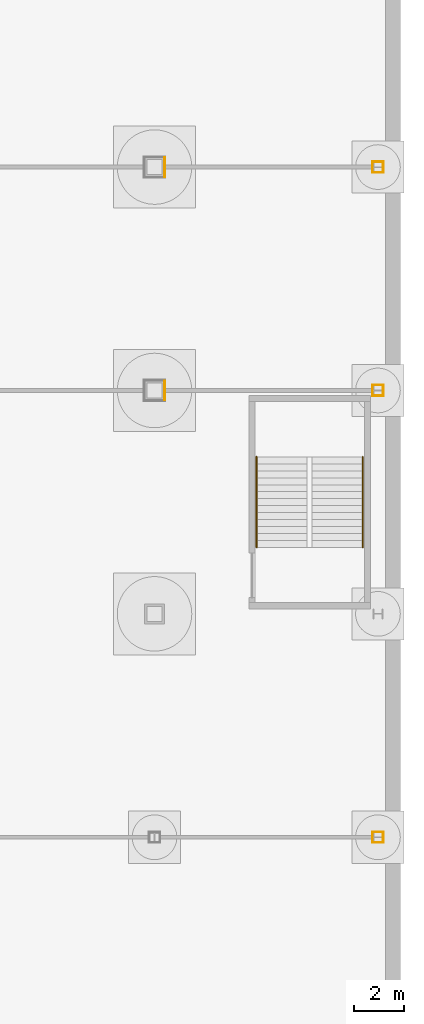
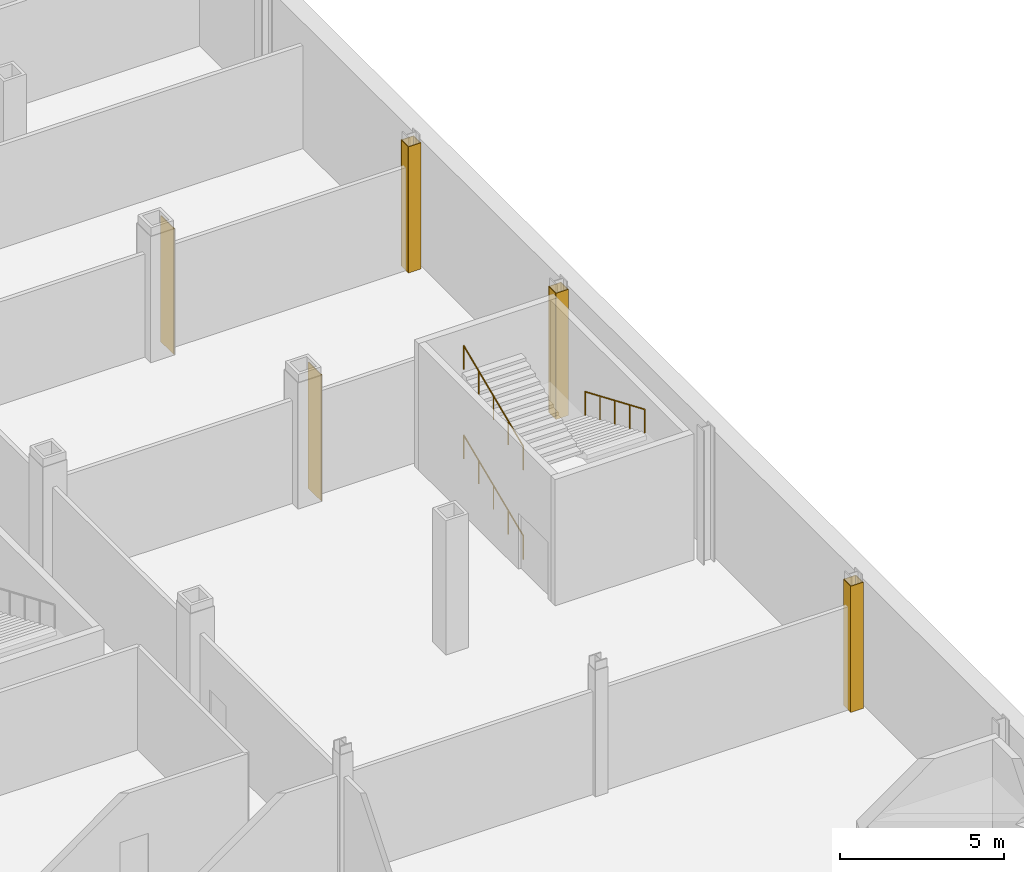
# One storey, part 23 of 28: 14 coverings, 3 railings.
"""IFC4 building model written with IfcOpenShell, lengths in metres."""

from ifc_helpers import new_model, si_unit, direction, frame, origin, origin_2d, place, context, subcontext, project, spatial, rectangle, circle, extrude, material, layer, layer_set, type_object, element, save


model = new_model("IFC4")

# Units and contexts
model_context = context("Model", 3, precision=1e-05, world=origin(), true_north=direction((0.0, 1.0)))
body_context = subcontext(model_context, "Body", "Model", "MODEL_VIEW")
ifc_project = project(units=[si_unit("LENGTHUNIT", "METRE"), si_unit("AREAUNIT", "SQUARE_METRE"), si_unit("VOLUMEUNIT", "CUBIC_METRE"), si_unit("PLANEANGLEUNIT", "RADIAN"), si_unit("MASSUNIT", "GRAM", prefix="KILO")], contexts=[model_context])

# Site, building, storey
site_placement = place(None, origin())
site = spatial("IfcSite", under=ifc_project, at=site_placement, CompositionType="ELEMENT")
building_placement = place(site_placement, origin())
building = spatial("IfcBuilding", under=site, at=building_placement, Name="Loomwork Tower", CompositionType="ELEMENT")
storey_placement = place(building_placement, frame((0.0, 0.0, -10.5)))
storey = spatial("IfcBuildingStorey", under=building, at=storey_placement, Name="B2", CompositionType="ELEMENT", Elevation=-10.5)

# Coverings
ifc_material_1 = material(Name="Two-hour fire-rated gypsum board casing")
ifc_layer = layer(ifc_material_1, 0.02490234375)
ifc_layer_set = layer_set([ifc_layer], Name="Column fire casing 25")
covering_type = type_object("IfcCoveringType", Name="Column fire casing 25", PredefinedType="CLADDING", material=ifc_layer_set)
for number, where, z_axis, x_axis, name in (
    (1, (54.41259765625, 9.0, 0.0), (0.0, 0.0, 1.0), (1.0, 0.0, 0.0), "Column casing 54 9 B2"),
    (2, (54.41259765625, 18.0, 0.0), (0.0, 0.0, 1.0), (1.0, 0.0, 0.0), "Column casing 54 18 B2"),
):
    element("IfcCovering", number, at=place(storey_placement, frame(where, z_axis=z_axis, x_axis=x_axis)), inside=storey, type_object=covering_type, Name=name, PredefinedType="CLADDING", context=body_context, shape_type="SweptSolid", body=[
        extrude(rectangle(XDim=0.02490234375, YDim=0.800048828125, at=origin_2d()), origin(), (0.0, 0.0, 1.0), 4.699951171875),
    ])
for number, where, z_axis, x_axis, name in (
    (3, (63.0, -8.786865234375, 0.0), (0.0, 0.0, 1.0), (1.0, 0.0, 0.0), "Column casing 63 -9 B2"),
    (4, (63.0, -9.213134765625, 0.0), (0.0, 0.0, 1.0), (1.0, 0.0, 0.0), "Column casing 63 -9 B2"),
):
    element("IfcCovering", number, at=place(storey_placement, frame(where, z_axis=z_axis, x_axis=x_axis)), inside=storey, type_object=covering_type, Name=name, PredefinedType="CLADDING", context=body_context, shape_type="SweptSolid", body=[
        extrude(rectangle(XDim=0.44873046875, YDim=0.02490234375, at=origin_2d()), origin(), (0.0, 0.0, 1.0), 4.699951171875),
    ])
for number, where, z_axis, x_axis, name in (
    (5, (63.2119140625, -9.0, 0.0), (0.0, 0.0, 1.0), (1.0, 0.0, 0.0), "Column casing 63 -9 B2"),
    (6, (62.7880859375, -9.0, 0.0), (0.0, 0.0, 1.0), (1.0, 0.0, 0.0), "Column casing 63 -9 B2"),
):
    element("IfcCovering", number, at=place(storey_placement, frame(where, z_axis=z_axis, x_axis=x_axis)), inside=storey, type_object=covering_type, Name=name, PredefinedType="CLADDING", context=body_context, shape_type="SweptSolid", body=[
        extrude(rectangle(XDim=0.02490234375, YDim=0.4013671875, at=origin_2d()), origin(), (0.0, 0.0, 1.0), 4.699951171875),
    ])
for number, where, z_axis, x_axis, name in (
    (7, (63.0, 9.213134765625, 0.0), (0.0, 0.0, 1.0), (1.0, 0.0, 0.0), "Column casing 63 9 B2"),
    (8, (63.0, 8.786865234375, 0.0), (0.0, 0.0, 1.0), (1.0, 0.0, 0.0), "Column casing 63 9 B2"),
):
    element("IfcCovering", number, at=place(storey_placement, frame(where, z_axis=z_axis, x_axis=x_axis)), inside=storey, type_object=covering_type, Name=name, PredefinedType="CLADDING", context=body_context, shape_type="SweptSolid", body=[
        extrude(rectangle(XDim=0.44873046875, YDim=0.02490234375, at=origin_2d()), origin(), (0.0, 0.0, 1.0), 4.699951171875),
    ])
for number, where, z_axis, x_axis, name in (
    (9, (63.2119140625, 9.0, 0.0), (0.0, 0.0, 1.0), (1.0, 0.0, 0.0), "Column casing 63 9 B2"),
    (10, (62.7880859375, 9.0, 0.0), (0.0, 0.0, 1.0), (1.0, 0.0, 0.0), "Column casing 63 9 B2"),
):
    element("IfcCovering", number, at=place(storey_placement, frame(where, z_axis=z_axis, x_axis=x_axis)), inside=storey, type_object=covering_type, Name=name, PredefinedType="CLADDING", context=body_context, shape_type="SweptSolid", body=[
        extrude(rectangle(XDim=0.02490234375, YDim=0.4013671875, at=origin_2d()), origin(), (0.0, 0.0, 1.0), 4.699951171875),
    ])
for number, where, z_axis, x_axis, name in (
    (11, (63.0, 18.213134765625, 0.0), (0.0, 0.0, 1.0), (1.0, 0.0, 0.0), "Column casing 63 18 B2"),
    (12, (63.0, 17.786865234375, 0.0), (0.0, 0.0, 1.0), (1.0, 0.0, 0.0), "Column casing 63 18 B2"),
):
    element("IfcCovering", number, at=place(storey_placement, frame(where, z_axis=z_axis, x_axis=x_axis)), inside=storey, type_object=covering_type, Name=name, PredefinedType="CLADDING", context=body_context, shape_type="SweptSolid", body=[
        extrude(rectangle(XDim=0.44873046875, YDim=0.02490234375, at=origin_2d()), origin(), (0.0, 0.0, 1.0), 4.699951171875),
    ])
for number, where, z_axis, x_axis, name in (
    (13, (63.2119140625, 18.0, 0.0), (0.0, 0.0, 1.0), (1.0, 0.0, 0.0), "Column casing 63 18 B2"),
    (14, (62.7880859375, 18.0, 0.0), (0.0, 0.0, 1.0), (1.0, 0.0, 0.0), "Column casing 63 18 B2"),
):
    element("IfcCovering", number, at=place(storey_placement, frame(where, z_axis=z_axis, x_axis=x_axis)), inside=storey, type_object=covering_type, Name=name, PredefinedType="CLADDING", context=body_context, shape_type="SweptSolid", body=[
        extrude(rectangle(XDim=0.02490234375, YDim=0.4013671875, at=origin_2d()), origin(), (0.0, 0.0, 1.0), 4.699951171875),
    ])

# Railings
ifc_material_2 = material(Name="Stainless steel handrail", Category="steel")
railing_type = type_object("IfcRailingType", Name="Handrail 900", PredefinedType="HANDRAIL", material=ifc_material_2)
railing_1_placement = place(storey_placement, frame((58.110107421875, 2.679931640625, 0.118896484375)))
element("IfcRailing", 15, at=railing_1_placement, inside=storey, type_object=railing_type, Name="Podium stair PS6 handrail flight 1 B2", PredefinedType="HANDRAIL", context=body_context, shape_type="SweptSolid", body=[
    extrude(circle(Radius=0.02392578125, at=origin_2d()), frame((0.0, 0.0, 0.8759765625), z_axis=(0.0, 0.920258693564, 0.391310537706), x_axis=(-1.0, 0.0, 0.0)), (0.0, 0.0, 1.0), 3.95556640625),
    extrude(circle(Radius=0.02099609375, at=origin_2d()), origin(), (0.0, 0.0, 1.0), 0.851806640625),
    extrude(circle(Radius=0.02099609375, at=origin_2d()), frame((0.0, 0.91015625, 0.386962890625)), (0.0, 0.0, 1.0), 0.851806640625),
    extrude(circle(Radius=0.02099609375, at=origin_2d()), frame((0.0, 1.820068359375, 0.77392578125)), (0.0, 0.0, 1.0), 0.851806640625),
    extrude(circle(Radius=0.02099609375, at=origin_2d()), frame((0.0, 2.72998046875, 1.160888671875)), (0.0, 0.0, 1.0), 0.851806640625),
    extrude(circle(Radius=0.02099609375, at=origin_2d()), frame((0.0, 3.64013671875, 1.5478515625)), (0.0, 0.0, 1.0), 0.851806640625),
])
railing_2_placement = place(storey_placement, frame((62.389892578125, 6.320068359375, 1.78564453125)))
element("IfcRailing", 16, at=railing_2_placement, inside=storey, type_object=railing_type, Name="Podium stair PS6 handrail flight 2 B2", PredefinedType="HANDRAIL", context=body_context, shape_type="SweptSolid", body=[
    extrude(circle(Radius=0.02392578125, at=origin_2d()), frame((0.0, 0.0, 0.8759765625), z_axis=(0.0, -0.920258693564, 0.391310537706), x_axis=(1.0, 0.0, 0.0)), (0.0, 0.0, 1.0), 3.95556640625),
    extrude(circle(Radius=0.02099609375, at=origin_2d()), origin(), (0.0, 0.0, 1.0), 0.851806640625),
    extrude(circle(Radius=0.02099609375, at=origin_2d()), frame((0.0, -0.91015625, 0.386962890625)), (0.0, 0.0, 1.0), 0.851806640625),
    extrude(circle(Radius=0.02099609375, at=origin_2d()), frame((0.0, -1.820068359375, 0.77392578125)), (0.0, 0.0, 1.0), 0.851806640625),
    extrude(circle(Radius=0.02099609375, at=origin_2d()), frame((0.0, -2.72998046875, 1.160888671875)), (0.0, 0.0, 1.0), 0.851806640625),
    extrude(circle(Radius=0.02099609375, at=origin_2d()), frame((0.0, -3.64013671875, 1.5478515625)), (0.0, 0.0, 1.0), 0.851806640625),
])
railing_3_placement = place(storey_placement, frame((58.110107421875, 2.679931640625, 3.452392578125)))
element("IfcRailing", 17, at=railing_3_placement, inside=storey, type_object=railing_type, Name="Podium stair PS6 handrail flight 3 B2", PredefinedType="HANDRAIL", context=body_context, shape_type="SweptSolid", body=[
    extrude(circle(Radius=0.02392578125, at=origin_2d()), frame((0.0, 0.0, 0.8759765625), z_axis=(0.0, 0.920280918742, 0.391258265855), x_axis=(-1.0, 0.0, 0.0)), (0.0, 0.0, 1.0), 3.95556640625),
    extrude(circle(Radius=0.02099609375, at=origin_2d()), origin(), (0.0, 0.0, 1.0), 0.851806640625),
    extrude(circle(Radius=0.02099609375, at=origin_2d()), frame((0.0, 0.91015625, 0.386962890625)), (0.0, 0.0, 1.0), 0.851806640625),
    extrude(circle(Radius=0.02099609375, at=origin_2d()), frame((0.0, 1.820068359375, 0.77392578125)), (0.0, 0.0, 1.0), 0.851806640625),
    extrude(circle(Radius=0.02099609375, at=origin_2d()), frame((0.0, 2.72998046875, 1.16064453125)), (0.0, 0.0, 1.0), 0.851806640625),
    extrude(circle(Radius=0.02099609375, at=origin_2d()), frame((0.0, 3.64013671875, 1.547607421875)), (0.0, 0.0, 1.0), 0.851806640625),
])

save(model, "model.ifc")
